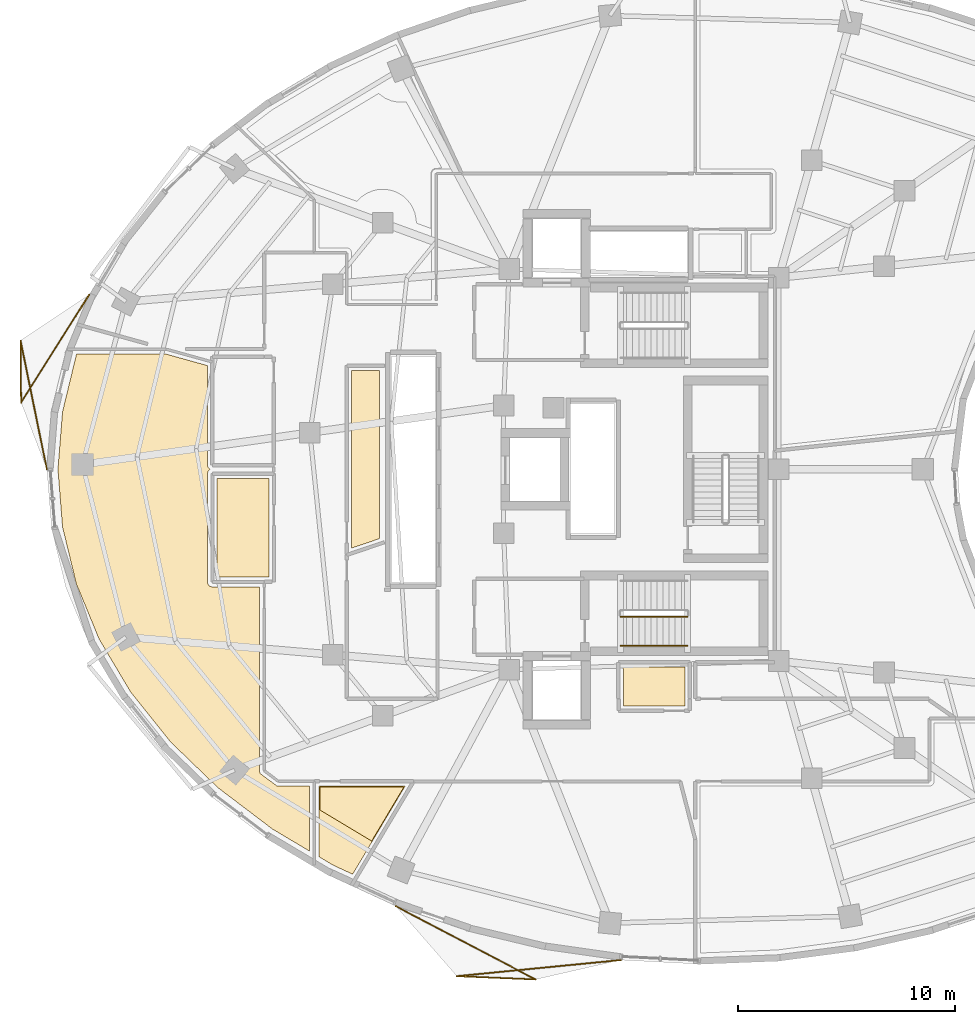
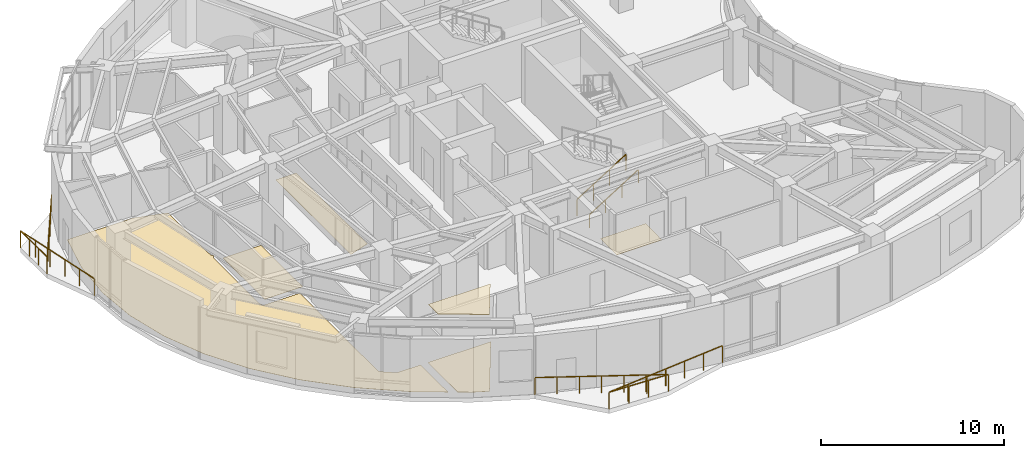
# One storey, part 12 of 14: 6 coverings, 4 railings.
"""IFC4 building model written with IfcOpenShell, lengths in metres."""

from ifc_helpers import new_model, si_unit, direction, frame, origin, origin_2d, place, context, subcontext, project, spatial, polyline, rectangle, outline, extrude, material, layer, layer_set, type_object, element, save


model = new_model("IFC4")

# Units and contexts
model_context = context("Model", 3, precision=1e-05, world=origin(), true_north=direction((0.0, 1.0)))
body_context = subcontext(model_context, "Body", "Model", "MODEL_VIEW")
ifc_project = project(units=[si_unit("LENGTHUNIT", "METRE"), si_unit("AREAUNIT", "SQUARE_METRE"), si_unit("VOLUMEUNIT", "CUBIC_METRE"), si_unit("PLANEANGLEUNIT", "RADIAN"), si_unit("MASSUNIT", "GRAM", prefix="KILO")], contexts=[model_context])

# Site, building, storey
site_placement = place(None, origin())
site = spatial("IfcSite", under=ifc_project, at=site_placement, CompositionType="ELEMENT")
building_placement = place(site_placement, origin())
building = spatial("IfcBuilding", under=site, at=building_placement, Name="Korentha Bioscience Tower", CompositionType="ELEMENT")
storey_placement = place(building_placement, frame((0.0, 0.0, 231.0)))
storey = spatial("IfcBuildingStorey", under=building, at=storey_placement, Name="L53", CompositionType="ELEMENT", Elevation=231.0)

# Railings
ifc_material_1 = material(Name="Stainless Steel 304", Category="steel")
railing_type_1 = type_object("IfcRailingType", Name="Brushed Stainless Stair Handrail 900", PredefinedType="HANDRAIL", material=ifc_material_1)
railing_1_placement = place(storey_placement, frame((30.25, 18.85009765625, 0.175048828125)))
element("IfcRailing", 1, at=railing_1_placement, inside=storey, type_object=railing_type_1, Name="L53 ST-2 stair handrail 1", PredefinedType="HANDRAIL", context=body_context, shape_type="SweptSolid", body=[
    extrude(rectangle(XDim=0.048095703125, YDim=0.048095703125, at=origin_2d()), frame((0.0, 0.0, 0.8759765625), z_axis=(0.847998304005, 0.0, 0.529998940003), x_axis=(0.0, 1.0, 0.0)), (0.0, 0.0, 1.0), 3.632080078125),
    extrude(rectangle(XDim=0.0419921875, YDim=0.0419921875, at=origin_2d()), origin(), (0.0, 0.0, 1.0), 0.851806640625),
    extrude(rectangle(XDim=0.0419921875, YDim=0.0419921875, at=origin_2d()), frame((1.026611328125, 0.0, 0.6416015625)), (0.0, 0.0, 1.0), 0.851806640625),
    extrude(rectangle(XDim=0.0419921875, YDim=0.0419921875, at=origin_2d()), frame((2.053466796875, 0.0, 1.283447265625)), (0.0, 0.0, 1.0), 0.851806640625),
    extrude(rectangle(XDim=0.0419921875, YDim=0.0419921875, at=origin_2d()), frame((3.080078125, 0.0, 1.925048828125)), (0.0, 0.0, 1.0), 0.851806640625),
])
ifc_material_2 = material(Name="Laminated Tempered Safety Glass", Category="glass")
railing_type_2 = type_object("IfcRailingType", Name="Laminated Glass Balcony Guardrail 1150", PredefinedType="BALUSTRADE", material=ifc_material_2)
railing_2_placement = place(storey_placement, frame((5.711181640625, 35.0625, 0.0)))
element("IfcRailing", 2, at=railing_2_placement, inside=storey, type_object=railing_type_2, Name="L53 Balcony Guardrail 02", PredefinedType="BALUSTRADE", context=body_context, shape_type="SweptSolid", body=[
    extrude(rectangle(XDim=0.048095703125, YDim=0.048095703125, at=origin_2d()), frame((0.0, 0.0, 1.1259765625), z_axis=(-0.533819879904, -0.845598211812, 0.0), x_axis=(0.845598211812, -0.533819879904, 0.0)), (0.0, 0.0, 1.0), 5.89013671875),
    extrude(rectangle(XDim=0.048095703125, YDim=0.048095703125, at=origin_2d()), frame((-3.144287109375, -4.980712890625, 1.1259765625), z_axis=(-0.008946472209, 0.999959979517, 0.0), x_axis=(-0.999959979517, -0.008946472209, 0.0)), (0.0, 0.0, 1.0), 2.865234375),
    extrude(rectangle(XDim=0.048095703125, YDim=0.048095703125, at=origin_2d()), frame((-3.169921875, -2.115478515625, 1.1259765625), z_axis=(0.200298844151, -0.97973484833, 0.0), x_axis=(0.97973484833, 0.200298844151, 0.0)), (0.0, 0.0, 1.0), 6.070068359375),
    extrude(rectangle(XDim=0.0419921875, YDim=0.0419921875, at=origin_2d()), origin(), (0.0, 0.0, 1.0), 1.101806640625),
    extrude(rectangle(XDim=0.0419921875, YDim=0.0419921875, at=origin_2d()), frame((-0.62890625, -0.99609375, 0.0)), (0.0, 0.0, 1.0), 1.101806640625),
    extrude(rectangle(XDim=0.0419921875, YDim=0.0419921875, at=origin_2d()), frame((-1.2578125, -1.9921875, 0.0)), (0.0, 0.0, 1.0), 1.101806640625),
    extrude(rectangle(XDim=0.0419921875, YDim=0.0419921875, at=origin_2d()), frame((-1.886474609375, -2.988525390625, 0.0)), (0.0, 0.0, 1.0), 1.101806640625),
    extrude(rectangle(XDim=0.0419921875, YDim=0.0419921875, at=origin_2d()), frame((-2.515380859375, -3.984619140625, 0.0)), (0.0, 0.0, 1.0), 1.101806640625),
    extrude(rectangle(XDim=0.0419921875, YDim=0.0419921875, at=origin_2d()), frame((-3.144287109375, -4.980712890625, 0.0)), (0.0, 0.0, 1.0), 1.101806640625),
    extrude(rectangle(XDim=0.0419921875, YDim=0.0419921875, at=origin_2d()), frame((-3.15283203125, -4.025634765625, 0.0)), (0.0, 0.0, 1.0), 1.101806640625),
    extrude(rectangle(XDim=0.0419921875, YDim=0.0419921875, at=origin_2d()), frame((-3.161376953125, -3.070556640625, 0.0)), (0.0, 0.0, 1.0), 1.101806640625),
    extrude(rectangle(XDim=0.0419921875, YDim=0.0419921875, at=origin_2d()), frame((-3.169921875, -2.115478515625, 0.0)), (0.0, 0.0, 1.0), 1.101806640625),
    extrude(rectangle(XDim=0.0419921875, YDim=0.0419921875, at=origin_2d()), frame((-2.9267578125, -3.304931640625, 0.0)), (0.0, 0.0, 1.0), 1.101806640625),
    extrude(rectangle(XDim=0.0419921875, YDim=0.0419921875, at=origin_2d()), frame((-2.68359375, -4.494384765625, 0.0)), (0.0, 0.0, 1.0), 1.101806640625),
    extrude(rectangle(XDim=0.0419921875, YDim=0.0419921875, at=origin_2d()), frame((-2.4404296875, -5.68359375, 0.0)), (0.0, 0.0, 1.0), 1.101806640625),
    extrude(rectangle(XDim=0.0419921875, YDim=0.0419921875, at=origin_2d()), frame((-2.197265625, -6.873046875, 0.0)), (0.0, 0.0, 1.0), 1.101806640625),
    extrude(rectangle(XDim=0.0419921875, YDim=0.0419921875, at=origin_2d()), frame((-1.9541015625, -8.0625, 0.0)), (0.0, 0.0, 1.0), 1.101806640625),
])
railing_3_placement = place(storey_placement, frame((19.86865234375, 6.8291015625, 0.0)))
element("IfcRailing", 3, at=railing_3_placement, inside=storey, type_object=railing_type_2, Name="L53 Balcony Guardrail 03", PredefinedType="BALUSTRADE", context=body_context, shape_type="SweptSolid", body=[
    extrude(rectangle(XDim=0.048095703125, YDim=0.048095703125, at=origin_2d()), frame((0.0, 0.0, 1.1259765625), z_axis=(0.885781064079, -0.464103336035, 0.0), x_axis=(0.464103336035, 0.885781064079, 0.0)), (0.0, 0.0, 1.0), 7.291015625),
    extrude(rectangle(XDim=0.048095703125, YDim=0.048095703125, at=origin_2d()), frame((6.458251953125, -3.3837890625, 1.1259765625), z_axis=(-0.999125274011, 0.041817303037, 0.0), x_axis=(-0.041817303037, -0.999125274011, 0.0)), (0.0, 0.0, 1.0), 3.64306640625),
    extrude(rectangle(XDim=0.048095703125, YDim=0.048095703125, at=origin_2d()), frame((2.818359375, -3.2314453125, 1.1259765625), z_axis=(0.995190892674, 0.097954515665, 0.0), x_axis=(-0.097954515665, 0.995190892674, 0.0)), (0.0, 0.0, 1.0), 7.599365234375),
    extrude(rectangle(XDim=0.0419921875, YDim=0.0419921875, at=origin_2d()), origin(), (0.0, 0.0, 1.0), 1.101806640625),
    extrude(rectangle(XDim=0.0419921875, YDim=0.0419921875, at=origin_2d()), frame((1.076416015625, -0.56396484375, 0.0)), (0.0, 0.0, 1.0), 1.101806640625),
    extrude(rectangle(XDim=0.0419921875, YDim=0.0419921875, at=origin_2d()), frame((2.15283203125, -1.1279296875, 0.0)), (0.0, 0.0, 1.0), 1.101806640625),
    extrude(rectangle(XDim=0.0419921875, YDim=0.0419921875, at=origin_2d()), frame((3.22900390625, -1.69189453125, 0.0)), (0.0, 0.0, 1.0), 1.101806640625),
    extrude(rectangle(XDim=0.0419921875, YDim=0.0419921875, at=origin_2d()), frame((4.305419921875, -2.255859375, 0.0)), (0.0, 0.0, 1.0), 1.101806640625),
    extrude(rectangle(XDim=0.0419921875, YDim=0.0419921875, at=origin_2d()), frame((5.3818359375, -2.81982421875, 0.0)), (0.0, 0.0, 1.0), 1.101806640625),
    extrude(rectangle(XDim=0.0419921875, YDim=0.0419921875, at=origin_2d()), frame((6.458251953125, -3.3837890625, 0.0)), (0.0, 0.0, 1.0), 1.101806640625),
    extrude(rectangle(XDim=0.0419921875, YDim=0.0419921875, at=origin_2d()), frame((5.244873046875, -3.3330078125, 0.0)), (0.0, 0.0, 1.0), 1.101806640625),
    extrude(rectangle(XDim=0.0419921875, YDim=0.0419921875, at=origin_2d()), frame((4.03173828125, -3.2822265625, 0.0)), (0.0, 0.0, 1.0), 1.101806640625),
    extrude(rectangle(XDim=0.0419921875, YDim=0.0419921875, at=origin_2d()), frame((2.818359375, -3.2314453125, 0.0)), (0.0, 0.0, 1.0), 1.101806640625),
    extrude(rectangle(XDim=0.0419921875, YDim=0.0419921875, at=origin_2d()), frame((4.078857421875, -3.107421875, 0.0)), (0.0, 0.0, 1.0), 1.101806640625),
    extrude(rectangle(XDim=0.0419921875, YDim=0.0419921875, at=origin_2d()), frame((5.33935546875, -2.9833984375, 0.0)), (0.0, 0.0, 1.0), 1.101806640625),
    extrude(rectangle(XDim=0.0419921875, YDim=0.0419921875, at=origin_2d()), frame((6.599609375, -2.859375, 0.0)), (0.0, 0.0, 1.0), 1.101806640625),
    extrude(rectangle(XDim=0.0419921875, YDim=0.0419921875, at=origin_2d()), frame((7.860107421875, -2.735107421875, 0.0)), (0.0, 0.0, 1.0), 1.101806640625),
    extrude(rectangle(XDim=0.0419921875, YDim=0.0419921875, at=origin_2d()), frame((9.12060546875, -2.611083984375, 0.0)), (0.0, 0.0, 1.0), 1.101806640625),
    extrude(rectangle(XDim=0.0419921875, YDim=0.0419921875, at=origin_2d()), frame((10.381103515625, -2.487060546875, 0.0)), (0.0, 0.0, 1.0), 1.101806640625),
])

# Covering
ifc_material_3 = material(Name="Antimicrobial Mineral Fibre Board", Category="gypsum")
ifc_layer_1 = layer(ifc_material_3, 0.034912109375, Name="Antimicrobial Mineral Fibre Board")
ifc_layer_set_1 = layer_set([ifc_layer_1], Name="Antimicrobial Mineral Fibre Board (CL-MF35)")
covering_type_1 = type_object("IfcCoveringType", Name="Mineral-Fibre Cleanroom Suspended Ceiling 35", PredefinedType="CEILING", material=ifc_layer_set_1)
covering_1_placement = place(storey_placement, frame((0.0, 0.0, 3.864990234375)))
element("IfcCovering", 4, at=covering_1_placement, inside=storey, type_object=covering_type_1, Name="L53 Biospecimen Archive Store 03 Acoustic Ceiling", PredefinedType="CEILING", context=body_context, shape_type="SweptSolid", body=[
    extrude(outline(polyline([(18.756103515625, 9.837890625), (16.35791015625, 11.275634765625), (16.35791015625, 12.340087890625), (20.24755859375, 12.340087890625), (18.756103515625, 9.837890625)])), origin(), (0.0, 0.0, 1.0), 0.034912109375),
])

# Railing
ifc_material_4 = material(Name="Painted Steel S275", Category="steel")
railing_type_3 = type_object("IfcRailingType", Name="Painted Steel Stair Well Guardrail 1100", PredefinedType="GUARDRAIL", material=ifc_material_4)
railing_4_placement = place(storey_placement, frame((30.25, 20.199951171875, 0.175048828125)))
element("IfcRailing", 5, at=railing_4_placement, inside=storey, type_object=railing_type_3, Name="L53 ST-2 stair guard 1", PredefinedType="GUARDRAIL", context=body_context, shape_type="SweptSolid", body=[
    extrude(rectangle(XDim=0.048095703125, YDim=0.048095703125, at=origin_2d()), frame((0.0, 0.0, 1.076171875), z_axis=(0.847998304005, 0.0, 0.529998940003), x_axis=(0.0, 1.0, 0.0)), (0.0, 0.0, 1.0), 3.632080078125),
    extrude(rectangle(XDim=0.0419921875, YDim=0.0419921875, at=origin_2d()), origin(), (0.0, 0.0, 1.0), 1.052001953125),
    extrude(rectangle(XDim=0.0419921875, YDim=0.0419921875, at=origin_2d()), frame((1.026611328125, 0.0, 0.6416015625)), (0.0, 0.0, 1.0), 1.052001953125),
    extrude(rectangle(XDim=0.0419921875, YDim=0.0419921875, at=origin_2d()), frame((2.053466796875, 0.0, 1.283447265625)), (0.0, 0.0, 1.0), 1.052001953125),
    extrude(rectangle(XDim=0.0419921875, YDim=0.0419921875, at=origin_2d()), frame((3.080078125, 0.0, 1.925048828125)), (0.0, 0.0, 1.0), 1.052001953125),
])

# Coverings
ifc_material_5 = material(Name="Chemical-Resistant Epoxy Resin", Category="polymer")
ifc_layer_2 = layer(ifc_material_5, 0.011962890625, Name="Chemical-Resistant Epoxy Resin")
ifc_layer_set_2 = layer_set([ifc_layer_2], Name="Chemical-Resistant Epoxy Resin (FL-EPX)")
covering_type_2 = type_object("IfcCoveringType", Name="Seamless Epoxy Laboratory Flooring 12", PredefinedType="FLOORING", material=ifc_layer_set_2)
covering_2_placement = place(storey_placement, origin())
element("IfcCovering", 6, at=covering_2_placement, inside=storey, type_object=covering_type_2, Name="L53 Core Instrumentation and Gas Store Floor Finish", PredefinedType="FLOORING", context=body_context, shape_type="SweptSolid", body=[
    extrude(outline(polyline([(33.22998046875, 17.8701171875), (33.219970703125, 16.080078125), (30.3798828125, 16.080078125), (30.371337890625, 17.8701171875), (33.22998046875, 17.8701171875)])), origin(), (0.0, 0.0, 1.0), 0.011962890625),
])
covering_3_placement = place(storey_placement, origin())
element("IfcCovering", 7, at=covering_3_placement, inside=storey, type_object=covering_type_2, Name="L53 Reclaimed Bank-1 Cold Freezer Alcove Floor Finish", PredefinedType="FLOORING", context=body_context, shape_type="SweptSolid", body=[
    extrude(outline(polyline([(14.02001953125, 22.030029296875), (11.6201171875, 22.02099609375), (11.6201171875, 26.580078125), (14.02001953125, 26.580078125), (14.02001953125, 22.030029296875)])), origin(), (0.0, 0.0, 1.0), 0.011962890625),
])
covering_4_placement = place(storey_placement, origin())
element("IfcCovering", 8, at=covering_4_placement, inside=storey, type_object=covering_type_2, Name="L53 Research Colloquium Seminar Room 01 Floor Finish", PredefinedType="FLOORING", context=body_context, shape_type="SweptSolid", body=[
    extrude(outline(polyline([(9.237060546875, 32.327880859375), (11.169921875, 31.7919921875), (11.169921875, 27.199951171875), (11.202392578125, 27.082275390625), (11.286865234375, 27.0), (11.202392578125, 26.917724609375), (11.169921875, 26.800048828125), (11.1767578125, 21.74462890625), (11.245849609375, 21.62939453125), (11.302001953125, 21.591796875), (11.38818359375, 21.5703125), (13.570068359375, 21.570068359375), (13.57275390625, 13.060302734375), (13.605224609375, 12.9736328125), (13.652099609375, 12.919921875), (14.381591796875, 12.3818359375), (15.8779296875, 12.3701171875), (15.8779296875, 9.376708984375), (14.17822265625, 10.387451171875), (11.655029296875, 12.30029296875), (9.459716796875, 14.422607421875), (7.62255859375, 16.72265625), (6.168701171875, 19.166015625), (5.1171875, 21.717529296875), (4.4814453125, 24.3408203125), (4.2685546875, 27.0), (4.4814453125, 29.6591796875), (5.1171875, 32.282470703125), (5.135986328125, 32.327880859375), (9.237060546875, 32.327880859375)])), origin(), (0.0, 0.0, 1.0), 0.011962890625),
])
covering_5_placement = place(storey_placement, origin())
element("IfcCovering", 9, at=covering_5_placement, inside=storey, type_object=covering_type_2, Name="L53 Biospecimen Archive Store 03 Floor Finish", PredefinedType="FLOORING", context=body_context, shape_type="SweptSolid", body=[
    extrude(outline(polyline([(16.327880859375, 12.3701171875), (20.30029296875, 12.3701171875), (17.8779296875, 8.306396484375), (16.992919921875, 8.71337890625), (16.327880859375, 9.10888671875), (16.327880859375, 12.3701171875)])), origin(), (0.0, 0.0, 1.0), 0.011962890625),
])
covering_6_placement = place(storey_placement, origin())
element("IfcCovering", 10, at=covering_6_placement, inside=storey, type_object=covering_type_2, Name="L53 Specimen Barcoding Receiving Room 11 Floor Finish", PredefinedType="FLOORING", context=body_context, shape_type="SweptSolid", body=[
    extrude(outline(polyline([(17.830078125, 23.364990234375), (17.830078125, 31.570068359375), (19.1201171875, 31.570068359375), (19.1201171875, 23.8017578125), (17.830078125, 23.364990234375)])), origin(), (0.0, 0.0, 1.0), 0.011962890625),
])

save(model, "model.ifc")
